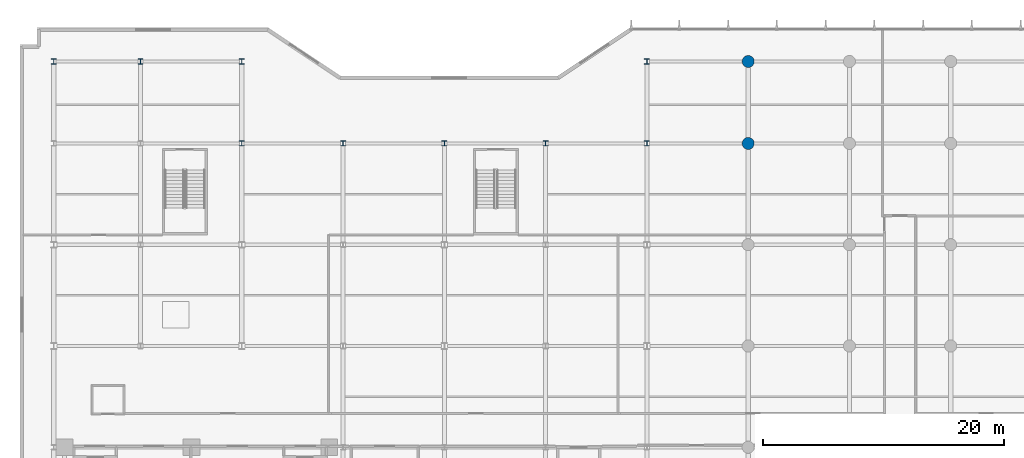
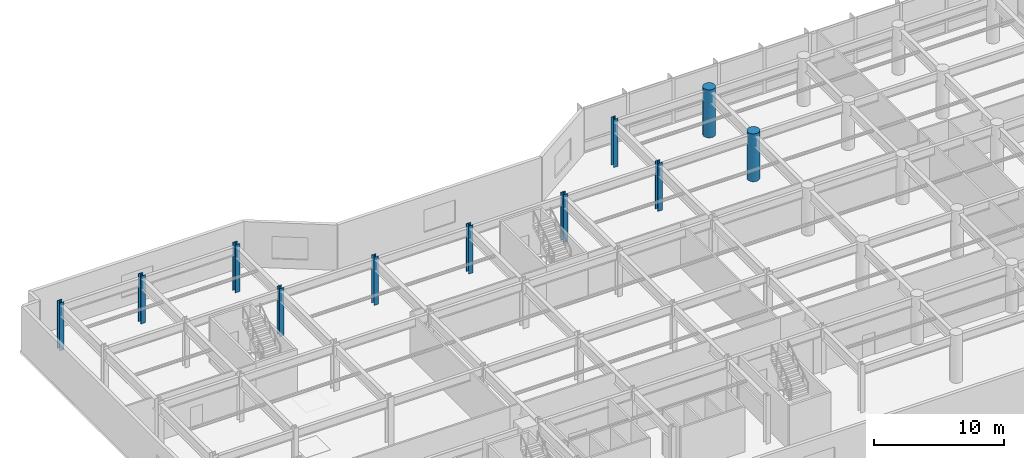
# One storey, part 2 of 26: 11 columns.
"""IFC4 building model written with IfcOpenShell, lengths in metres."""

import ifcopenshell
import ifcopenshell.guid

model = None  # the IFC model being written
_history = None  # IfcOwnerHistory: only IFC2X3 demands one
_inside = {}  # id of a spatial element -> (the spatial element, [elements in it])
_under = {}  # id of a project, library or spatial element -> (it, [spatial elements below it])
_declared = {}  # id of a project -> (the project, [libraries it declares])
_typed = {}  # id of a type object -> (the type object, [elements of that type])
_made_of = {}  # id of a material, layer set ... -> (it, [elements and type objects made of it])


def new_model(schema):
    """Start an empty IFC model of exactly this schema.

    Asked for "IFC4X3", IfcOpenShell would pick the latest addendum, in which some entities
    have other attributes; the version numbers below select the first issue.
    IFC2X3 requires an IfcOwnerHistory on every rooted entity: one is made here for all.
    """
    global model, _history
    if schema == "IFC4X3":
        model = ifcopenshell.file(schema_version=(4, 3, 0, 0))
    else:
        model = ifcopenshell.file(schema=schema)
    _inside.clear()
    _under.clear()
    _declared.clear()
    _typed.clear()
    _made_of.clear()
    _history = None
    if model.schema == "IFC2X3":
        org = make("IfcOrganization", Name="unknown")
        user = make(
            "IfcPersonAndOrganization",
            ThePerson=make("IfcPerson", FamilyName="unknown"),
            TheOrganization=org,
        )
        app = make(
            "IfcApplication",
            ApplicationDeveloper=org,
            Version="unknown",
            ApplicationFullName="unknown",
            ApplicationIdentifier="unknown",
        )
        _history = make(
            "IfcOwnerHistory",
            OwningUser=user,
            OwningApplication=app,
            ChangeAction="ADDED",
            CreationDate=0,
        )
    return model


def make(cls, **values):
    """One entity of the class cls with the attributes given. An attribute that is None is left unset."""
    return model.create_entity(
        cls, **{name: value for name, value in values.items() if value is not None}
    )


def rooted(cls, **values):
    """An entity with a GlobalId (a new one), such as an element, a storey or a relation."""
    return make(cls, GlobalId=ifcopenshell.guid.new(), OwnerHistory=_history, **values)


def si_unit(unit_type, name, prefix=None):
    """IfcSIUnit, for example si_unit("LENGTHUNIT", "METRE", prefix="MILLI")."""
    return make("IfcSIUnit", UnitType=unit_type, Prefix=prefix, Name=name)


def assignment(units):
    """IfcUnitAssignment: the units of a project."""
    return None if units is None else make("IfcUnitAssignment", Units=units)


def point(xyz):
    """IfcCartesianPoint."""
    return None if xyz is None else make("IfcCartesianPoint", Coordinates=xyz)


def direction(xyz):
    """IfcDirection."""
    return None if xyz is None else make("IfcDirection", DirectionRatios=xyz)


def frame(location, z_axis=None, x_axis=None):
    """IfcAxis2Placement3D, a coordinate frame: its origin and axes. An axis left out is left unset."""
    return make(
        "IfcAxis2Placement3D",
        Location=point(location),
        Axis=direction(z_axis),
        RefDirection=direction(x_axis),
    )


def frame_2d(location, x_axis=None):
    """IfcAxis2Placement2D, a coordinate frame in the plane: its origin and x axis."""
    return make(
        "IfcAxis2Placement2D", Location=point(location), RefDirection=direction(x_axis)
    )


def origin():
    """The frame at (0, 0, 0) with its axes left unset."""
    return frame((0.0, 0.0, 0.0))


def origin_2d():
    """The frame at (0, 0) in the plane with its x axis left unset."""
    return frame_2d((0.0, 0.0))


def place(relative_to, where):
    """IfcLocalPlacement: puts the frame where relative to a parent placement (None: the world)."""
    return make(
        "IfcLocalPlacement", PlacementRelTo=relative_to, RelativePlacement=where
    )


def context(
    kind, dimensions, precision=None, world=None, true_north=None, identifier=None
):
    """IfcGeometricRepresentationContext, for example the 3D "Model" context."""
    return make(
        "IfcGeometricRepresentationContext",
        ContextIdentifier=identifier,
        ContextType=kind,
        CoordinateSpaceDimension=dimensions,
        Precision=precision,
        WorldCoordinateSystem=world,
        TrueNorth=true_north,
    )


def subcontext(parent, identifier, kind, view, scale=None):
    """IfcGeometricRepresentationSubContext, for example "Body" below "Model"."""
    return make(
        "IfcGeometricRepresentationSubContext",
        ContextIdentifier=identifier,
        ContextType=kind,
        ParentContext=parent,
        TargetScale=scale,
        TargetView=view,
    )


def project(units=None, contexts=None):
    """IfcProject with its units and contexts."""
    return rooted(
        "IfcProject",
        Name="project",
        RepresentationContexts=contexts,
        UnitsInContext=assignment(units),
    )


def spatial(cls, under=None, at=None, **own):
    """A site, building, storey or space (cls), placed at a placement, below another one or the project."""
    s = rooted(cls, ObjectPlacement=at, **own)
    if under is not None:
        _under.setdefault(under.id(), (under, []))[1].append(s)
    return s


def profile(cls, at=None, kind="AREA", **sizes):
    """A parametric profile (cls). Its sizes go by their IFC names, for example OverallWidth=200.0."""
    return make(cls, ProfileType=kind, Position=at, **sizes)


def circle(**sizes):
    """IfcCircleProfileDef."""
    return profile("IfcCircleProfileDef", **sizes)


def i_section(**sizes):
    """IfcIShapeProfileDef."""
    return profile("IfcIShapeProfileDef", **sizes)


def extrude(swept, where, along, depth):
    """IfcExtrudedAreaSolid: the profile swept, set in the frame where, extruded along a direction by depth."""
    return make(
        "IfcExtrudedAreaSolid",
        SweptArea=swept,
        Position=where,
        ExtrudedDirection=direction(along),
        Depth=depth,
    )


def shape(context_of_items, identifier, shape_type, items):
    """IfcShapeRepresentation: the items that make up one representation, for example the "Body"."""
    return make(
        "IfcShapeRepresentation",
        ContextOfItems=context_of_items,
        RepresentationIdentifier=identifier,
        RepresentationType=shape_type,
        Items=items,
    )


def material(Name=None, Category=None):
    """IfcMaterial."""
    return make("IfcMaterial", Name=Name, Category=Category)


def material_profile(
    of_material, cross_section, Name=None, Category=None, Priority=None
):
    """IfcMaterialProfile: a cross section and its material."""
    return make(
        "IfcMaterialProfile",
        Name=Name,
        Material=of_material,
        Profile=cross_section,
        Priority=Priority,
        Category=Category,
    )


def profile_set(profiles, Name=None, composite=None):
    """IfcMaterialProfileSet."""
    return make(
        "IfcMaterialProfileSet",
        Name=Name,
        MaterialProfiles=profiles,
        CompositeProfile=composite,
    )


def made_of(thing, what):
    """Note that an element or type object is made of a material, layer set ...; save() writes the relation."""
    if what is not None:
        _made_of.setdefault(what.id(), (what, []))[1].append(thing)
    return thing


def type_object(cls, material=None, **own):
    """A type object (cls), such as IfcWallType, which elements share."""
    return made_of(rooted(cls, **own), material)


def element(
    cls,
    number,
    at=None,
    inside=None,
    cuts=None,
    type_object=None,
    material=None,
    context=None,
    identifier="Body",
    shape_type=None,
    held_by="IfcProductDefinitionShape",
    body=None,
    shapes=None,
    **own,
):
    """One element of the class cls, such as IfcWall. Its Tag is "e" and its number.

    at: its placement. inside: the storey or other place that contains it. cuts: it is an
    opening in that element (IfcRelVoidsElement). A single representation is given by context,
    identifier, shape_type and body (its items); several are given by shapes. held_by: the class
    of the entity that holds the representations. save() writes the other relations.
    """
    e = rooted(cls, Tag="e%d" % number, ObjectPlacement=at, **own)
    if body is not None:
        shapes = [shape(context, identifier, shape_type, body)]
    if shapes is not None:
        e.Representation = make(held_by, Representations=shapes)
    if inside is not None:
        _inside.setdefault(inside.id(), (inside, []))[1].append(e)
    if cuts is not None:
        rooted(
            "IfcRelVoidsElement", RelatingBuildingElement=cuts, RelatedOpeningElement=e
        )
    if type_object is not None:
        _typed.setdefault(type_object.id(), (type_object, []))[1].append(e)
    return made_of(e, material)


def aggregate(whole, parts):
    """IfcRelAggregates: a whole, such as a stair, and the parts it consists of."""
    return rooted("IfcRelAggregates", RelatingObject=whole, RelatedObjects=parts)


def save(model, path):
    """Write the relations noted so far, then the file.

    IfcRelAggregates (storeys below a building ...), IfcRelContainedInSpatialStructure (elements
    in a storey), IfcRelDefinesByType, IfcRelAssociatesMaterial and IfcRelDeclares: one each for
    every whole, place, type object, material and project.
    """
    for whole, parts in _under.values():
        aggregate(whole, parts)
    for where, things in _inside.values():
        rooted(
            "IfcRelContainedInSpatialStructure",
            RelatedElements=things,
            RelatingStructure=where,
        )
    for kind, things in _typed.values():
        rooted("IfcRelDefinesByType", RelatedObjects=things, RelatingType=kind)
    for what, things in _made_of.values():
        rooted("IfcRelAssociatesMaterial", RelatedObjects=things, RelatingMaterial=what)
    for by, libraries in _declared.values():
        rooted("IfcRelDeclares", RelatingContext=by, RelatedDefinitions=libraries)
    model.write(path)


model = new_model("IFC4")

# Units and contexts
model_context = context("Model", 3, precision=1e-05, world=origin(), true_north=direction((0.0, 1.0)))
body_context = subcontext(model_context, "Body", "Model", "MODEL_VIEW")
ifc_project = project(units=[si_unit("LENGTHUNIT", "METRE"), si_unit("AREAUNIT", "SQUARE_METRE"), si_unit("VOLUMEUNIT", "CUBIC_METRE"), si_unit("PLANEANGLEUNIT", "RADIAN"), si_unit("MASSUNIT", "GRAM", prefix="KILO")], contexts=[model_context])

# Site, building, storey
site_placement = place(None, origin())
site = spatial("IfcSite", under=ifc_project, at=site_placement, CompositionType="ELEMENT")
building_placement = place(site_placement, origin())
building = spatial("IfcBuilding", under=site, at=building_placement, Name="Varnakote Quay Hospital", CompositionType="ELEMENT")
storey_placement = place(building_placement, frame((0.0, 0.0, 13.5)))
storey = spatial("IfcBuildingStorey", under=building, at=storey_placement, Name="L03", CompositionType="ELEMENT", Elevation=13.5)

# Columns
ifc_material_1 = material(Name="Concrete N65 (f'c 65 MPa)", Category="concrete")
ifc_material_profile_1 = material_profile(ifc_material_1, circle(Radius=0.5, at=origin_2d()), Name="RC-COL-D1000")
ifc_profile_set_1 = profile_set([ifc_material_profile_1], Name="Concrete N65 (f'c 65 MPa)")
column_type_1 = type_object("IfcColumnType", Name="COL-RC-D1000", PredefinedType="COLUMN", material=ifc_profile_set_1)
for number, where, z_axis, x_axis, name in (
    (1, (58.800048828125, 37.199951171875, 0.0), (0.0, 0.0, 1.0), (1.0, 0.0, 0.0), "L03 Structural Column C-59-37"),
    (2, (58.800048828125, 44.0, 0.0), (0.0, 0.0, 1.0), (1.0, 0.0, 0.0), "L03 Structural Column C-59-44"),
):
    element("IfcColumn", number, at=place(storey_placement, frame(where, z_axis=z_axis, x_axis=x_axis)), inside=storey, type_object=column_type_1, Name=name, PredefinedType="COLUMN", context=body_context, shape_type="SweptSolid", body=[
        extrude(circle(Radius=0.5, at=origin_2d()), origin(), (0.0, 0.0, 1.0), 4.5),
    ])
ifc_material_2 = material(Name="Structural steel AS/NZS 3678 Grade 350 (fy 340 MPa)", Category="steel")
ifc_material_profile_2 = material_profile(ifc_material_2, i_section(OverallWidth=0.39990234375, OverallDepth=0.419921875, WebThickness=0.02490234375, FlangeThickness=0.0400390625, at=origin_2d()), Name="400WC328")
ifc_profile_set_2 = profile_set([ifc_material_profile_2], Name="Structural steel AS/NZS 3678 Grade 350 (fy 340 MPa)")
column_type_2 = type_object("IfcColumnType", Name="COL-STL-400WC328", PredefinedType="COLUMN", material=ifc_profile_set_2)
for number, where, z_axis, x_axis, name in (
    (3, (16.800048828125, 37.199951171875, 0.0), (0.0, 0.0, 1.0), (1.0, 0.0, 0.0), "L03 Structural Column C-17-37"),
    (4, (25.199951171875, 37.199951171875, 0.0), (0.0, 0.0, 1.0), (1.0, 0.0, 0.0), "L03 Structural Column C-25-37"),
    (5, (33.60009765625, 37.199951171875, 0.0), (0.0, 0.0, 1.0), (1.0, 0.0, 0.0), "L03 Structural Column C-34-37"),
    (6, (42.0, 37.199951171875, 0.0), (0.0, 0.0, 1.0), (1.0, 0.0, 0.0), "L03 Structural Column C-42-37"),
    (7, (50.39990234375, 37.199951171875, 0.0), (0.0, 0.0, 1.0), (1.0, 0.0, 0.0), "L03 Structural Column C-50-37"),
    (8, (1.199951171875, 44.0, 0.0), (0.0, 0.0, 1.0), (1.0, 0.0, 0.0), "L03 Structural Column C-1-44"),
    (9, (8.39990234375, 44.0, 0.0), (0.0, 0.0, 1.0), (1.0, 0.0, 0.0), "L03 Structural Column C-8-44"),
    (10, (16.800048828125, 44.0, 0.0), (0.0, 0.0, 1.0), (1.0, 0.0, 0.0), "L03 Structural Column C-17-44"),
    (11, (50.39990234375, 44.0, 0.0), (0.0, 0.0, 1.0), (1.0, 0.0, 0.0), "L03 Structural Column C-50-44"),
):
    element("IfcColumn", number, at=place(storey_placement, frame(where, z_axis=z_axis, x_axis=x_axis)), inside=storey, type_object=column_type_2, Name=name, PredefinedType="COLUMN", context=body_context, shape_type="SweptSolid", body=[
        extrude(i_section(OverallWidth=0.39990234375, OverallDepth=0.419921875, WebThickness=0.02490234375, FlangeThickness=0.0400390625, at=origin_2d()), origin(), (0.0, 0.0, 1.0), 4.5),
    ])

save(model, "model.ifc")
